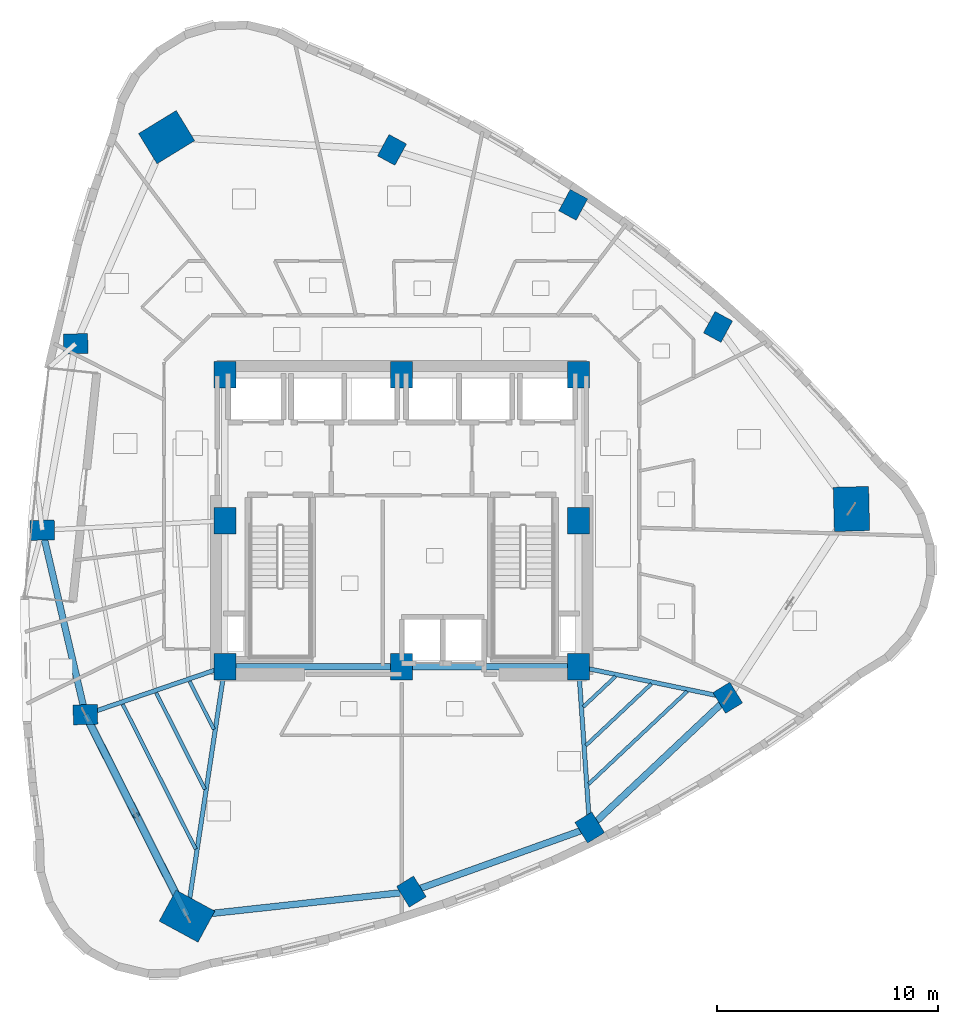
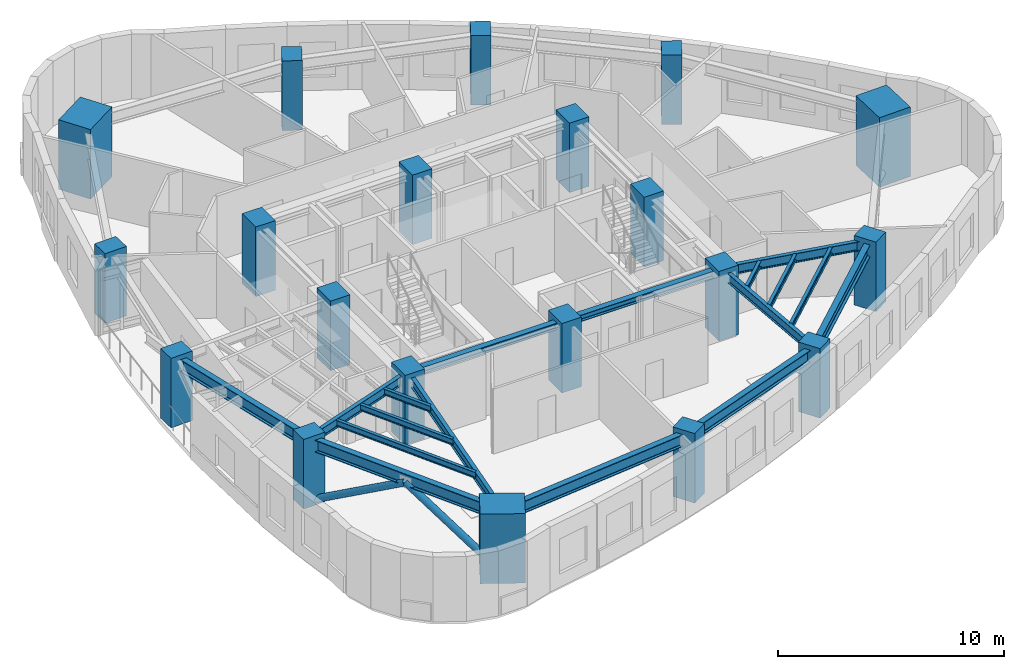
# One storey, part 1 of 12: 20 columns, 17 beams, 2 members.
"""IFC4 building model written with IfcOpenShell, lengths in metres."""

from ifc_helpers import new_model, si_unit, direction, frame, origin, origin_2d, place, context, subcontext, project, spatial, rectangle, hollow_circle, i_section, extrude, material, material_profile, profile_set, type_object, element, save


model = new_model("IFC4")

# Units and contexts
model_context = context("Model", 3, precision=1e-05, world=origin(), true_north=direction((0.0, 1.0)))
body_context = subcontext(model_context, "Body", "Model", "MODEL_VIEW")
ifc_project = project(units=[si_unit("LENGTHUNIT", "METRE"), si_unit("AREAUNIT", "SQUARE_METRE"), si_unit("VOLUMEUNIT", "CUBIC_METRE"), si_unit("PLANEANGLEUNIT", "RADIAN"), si_unit("MASSUNIT", "GRAM", prefix="KILO")], contexts=[model_context])

# Site, building, storey
site_placement = place(None, origin())
site = spatial("IfcSite", under=ifc_project, at=site_placement, CompositionType="ELEMENT")
building_placement = place(site_placement, origin())
building = spatial("IfcBuilding", under=site, at=building_placement, Name="Ndelora Gate Hotel", CompositionType="ELEMENT")
storey_placement = place(building_placement, frame((0.0, 0.0, 104.75)))
storey = spatial("IfcBuildingStorey", under=building, at=storey_placement, Name="L25", CompositionType="ELEMENT", Elevation=104.75)

# Columns
ifc_material_1 = material(Name="Concrete C60/75", Category="concrete")
ifc_material_profile_1 = material_profile(ifc_material_1, rectangle(XDim=1.0, YDim=1.199951171875, at=origin_2d()), Name="RC 1200x1000")
ifc_profile_set_1 = profile_set([ifc_material_profile_1], Name="Concrete C60/75")
column_type_1 = type_object("IfcColumnType", Name="COL-CC-MID", PredefinedType="COLUMN", material=ifc_profile_set_1)
for number, where, z_axis, x_axis, name in (
    (1, (-8.0, -6.60009765625, 0.0), (0.0, 0.0, 1.0), (1.0, 0.0, 0.0), "L25 Core Column CC1"),
    (2, (0.0, -6.60009765625, 0.0), (0.0, 0.0, 1.0), (1.0, 0.0, 0.0), "L25 Core Column CC2"),
    (3, (8.0, -6.60009765625, 0.0), (0.0, 0.0, 1.0), (1.0, 0.0, 0.0), "L25 Core Column CC3"),
    (4, (8.0, 0.0, 0.0), (0.0, 0.0, 1.0), (1.0, 0.0, 0.0), "L25 Core Column CC4"),
    (5, (8.0, 6.60009765625, 0.0), (0.0, 0.0, 1.0), (1.0, 0.0, 0.0), "L25 Core Column CC5"),
    (6, (0.0, 6.60009765625, 0.0), (0.0, 0.0, 1.0), (1.0, 0.0, 0.0), "L25 Core Column CC6"),
    (7, (-8.0, 6.60009765625, 0.0), (0.0, 0.0, 1.0), (1.0, 0.0, 0.0), "L25 Core Column CC7"),
    (8, (-8.0, 0.0, 0.0), (0.0, 0.0, 1.0), (1.0, 0.0, 0.0), "L25 Core Column CC8"),
):
    element("IfcColumn", number, at=place(storey_placement, frame(where, z_axis=z_axis, x_axis=x_axis)), inside=storey, type_object=column_type_1, Name=name, PredefinedType="COLUMN", context=body_context, shape_type="SweptSolid", body=[
        extrude(rectangle(XDim=1.0, YDim=1.199951171875, at=origin_2d()), origin(), (0.0, 0.0, 1.0), 3.75),
    ])
ifc_material_profile_2 = material_profile(ifc_material_1, rectangle(XDim=1.60009765625, YDim=2.0, at=origin_2d()), Name="RC 2000x1600")
ifc_profile_set_2 = profile_set([ifc_material_profile_2], Name="Concrete C60/75")
column_type_2 = type_object("IfcColumnType", Name="COL-MC-Z2", PredefinedType="COLUMN", material=ifc_profile_set_2)
for number, where, z_axis, x_axis, name in (
    (9, (-10.63330078125, 17.351806640625, 0.0), (0.0, 0.0, 1.0), (-0.522498564716, 0.852640164354, 0.0), "L25 Corner Mega-Column R1"),
    (10, (-9.71044921875, -17.884521484375, 0.0), (0.0, 0.0, 1.0), (0.47715876026, 0.878817112662, 0.0), "L25 Corner Mega-Column R5"),
    (11, (20.34375, 0.53271484375, 0.0), (0.0, 0.0, 1.0), (0.999657324976, 0.026176948308, 0.0), "L25 Corner Mega-Column R9"),
):
    element("IfcColumn", number, at=place(storey_placement, frame(where, z_axis=z_axis, x_axis=x_axis)), inside=storey, type_object=column_type_2, Name=name, PredefinedType="COLUMN", context=body_context, shape_type="SweptSolid", body=[
        extrude(rectangle(XDim=1.60009765625, YDim=2.0, at=origin_2d()), origin(), (0.0, 0.0, 1.0), 3.75),
    ])
ifc_material_profile_3 = material_profile(ifc_material_1, rectangle(XDim=0.89990234375, YDim=1.10009765625, at=origin_2d()), Name="RC 1100x900")
ifc_profile_set_3 = profile_set([ifc_material_profile_3], Name="Concrete C60/75")
column_type_3 = type_object("IfcColumnType", Name="COL-PT-Z2", PredefinedType="COLUMN", material=ifc_profile_set_3)
for number, where, z_axis, x_axis, name in (
    (12, (-14.74658203125, 8.006591796875, 0.0), (0.0, 0.0, 1.0), (-0.026176948308, 0.999657324976, 0.0), "L25 Perimeter Tube Column R2"),
    (13, (-16.25537109375, -0.42578125, 0.0), (0.0, 0.0, 1.0), (-0.026176948308, 0.999657324976, 0.0), "L25 Perimeter Tube Column R3"),
    (14, (-14.307373046875, -8.767578125, 0.0), (0.0, 0.0, 1.0), (-0.026176948308, 0.999657324976, 0.0), "L25 Perimeter Tube Column R4"),
    (15, (0.439208984375, -16.7744140625, 0.0), (0.0, 0.0, 1.0), (0.852640164354, 0.522498564716, 0.0), "L25 Perimeter Tube Column R6"),
    (16, (8.50439453125, -13.878173828125, 0.0), (0.0, 0.0, 1.0), (0.852640164354, 0.522498564716, 0.0), "L25 Perimeter Tube Column R7"),
    (17, (14.74658203125, -8.006591796875, 0.0), (0.0, 0.0, 1.0), (0.852640164354, 0.522498564716, 0.0), "L25 Perimeter Tube Column R8"),
    (18, (14.30712890625, 8.767333984375, 0.0), (0.0, 0.0, 1.0), (-0.878817112662, 0.47715876026, 0.0), "L25 Perimeter Tube Column R10"),
    (19, (7.759033203125, 14.290283203125, 0.0), (0.0, 0.0, 1.0), (-0.878817112662, 0.47715876026, 0.0), "L25 Perimeter Tube Column R11"),
    (20, (-0.439208984375, 16.7744140625, 0.0), (0.0, 0.0, 1.0), (-0.878817112662, 0.47715876026, 0.0), "L25 Perimeter Tube Column R12"),
):
    element("IfcColumn", number, at=place(storey_placement, frame(where, z_axis=z_axis, x_axis=x_axis)), inside=storey, type_object=column_type_3, Name=name, PredefinedType="COLUMN", context=body_context, shape_type="SweptSolid", body=[
        extrude(rectangle(XDim=0.89990234375, YDim=1.10009765625, at=origin_2d()), origin(), (0.0, 0.0, 1.0), 3.75),
    ])

# Beams
ifc_material_2 = material(Name="Steel S355", Category="steel")
ifc_material_profile_4 = material_profile(ifc_material_2, i_section(OverallWidth=0.300048828125, OverallDepth=0.360107421875, WebThickness=0.012451171875, FlangeThickness=0.0224609375, FilletRadius=0.027099609375, at=origin_2d()), Name="HEB 360")
ifc_profile_set_4 = profile_set([ifc_material_profile_4], Name="Steel S355")
beam_type_1 = type_object("IfcBeamType", Name="BM-CORE-360", PredefinedType="BEAM", material=ifc_profile_set_4)
for number, where, z_axis, x_axis, name in (
    (21, (-8.0, -6.60009765625, 3.320068359375), (1.0, 0.0, 0.0), (0.0, 1.0, 0.0), "L25 Core Tie Girder CC1-CC2"),
    (22, (0.0, -6.60009765625, 3.320068359375), (1.0, 0.0, 0.0), (0.0, 1.0, 0.0), "L25 Core Tie Girder CC2-CC3"),
):
    element("IfcBeam", number, at=place(storey_placement, frame(where, z_axis=z_axis, x_axis=x_axis)), inside=storey, type_object=beam_type_1, Name=name, PredefinedType="BEAM", context=body_context, shape_type="SweptSolid", body=[
        extrude(i_section(OverallWidth=0.300048828125, OverallDepth=0.360107421875, WebThickness=0.012451171875, FlangeThickness=0.0224609375, FilletRadius=0.027099609375, at=origin_2d()), origin(), (0.0, 0.0, 1.0), 8.0),
    ])
ifc_material_profile_5 = material_profile(ifc_material_2, i_section(OverallWidth=0.159912109375, OverallDepth=0.330078125, WebThickness=0.007568359375, FlangeThickness=0.011474609375, FilletRadius=0.01806640625, at=origin_2d()), Name="IPE 330")
ifc_profile_set_5 = profile_set([ifc_material_profile_5], Name="Steel S355")
beam_type_2 = type_object("IfcBeamType", Name="BM-JST-330", PredefinedType="JOIST", material=ifc_profile_set_5)
beam_1_placement = place(storey_placement, frame((-9.59033203125, -7.26171875, 3.3349609375), z_axis=(0.450139260243, -0.892958367668, 0.0), x_axis=(0.892958367668, 0.450139260243, 0.0)))
element("IfcBeam", 23, at=beam_1_placement, inside=storey, type_object=beam_type_2, Name="L25 Secondary Composite Floor Joist IN-4", PredefinedType="JOIST", context=body_context, shape_type="SweptSolid", body=[
    extrude(i_section(OverallWidth=0.159912109375, OverallDepth=0.330078125, WebThickness=0.007568359375, FlangeThickness=0.011474609375, FilletRadius=0.01806640625, at=origin_2d()), origin(), (0.0, 0.0, 1.0), 2.4345703125),
])
beam_2_placement = place(storey_placement, frame((-11.10400390625, -7.781982421875, 3.3349609375), z_axis=(0.450189724408, -0.892932926953, 0.0), x_axis=(0.892932926953, 0.450189724408, 0.0)))
element("IfcBeam", 24, at=beam_2_placement, inside=storey, type_object=beam_type_2, Name="L25 Secondary Composite Floor Joist MID-4", PredefinedType="JOIST", context=body_context, shape_type="SweptSolid", body=[
    extrude(i_section(OverallWidth=0.159912109375, OverallDepth=0.330078125, WebThickness=0.007568359375, FlangeThickness=0.011474609375, FilletRadius=0.01806640625, at=origin_2d()), origin(), (0.0, 0.0, 1.0), 4.885009765625),
])
beam_3_placement = place(storey_placement, frame((-12.617919921875, -8.30224609375, 3.3349609375), z_axis=(0.45023300903, -0.892911102843, 0.0), x_axis=(0.892911102843, 0.45023300903, 0.0)))
element("IfcBeam", 25, at=beam_3_placement, inside=storey, type_object=beam_type_2, Name="L25 Secondary Composite Floor Joist OUT-4", PredefinedType="JOIST", context=body_context, shape_type="SweptSolid", body=[
    extrude(i_section(OverallWidth=0.159912109375, OverallDepth=0.330078125, WebThickness=0.007568359375, FlangeThickness=0.011474609375, FilletRadius=0.01806640625, at=origin_2d()), origin(), (0.0, 0.0, 1.0), 7.335693359375),
])
beam_4_placement = place(storey_placement, frame((8.211181640625, -8.4169921875, 3.3349609375), z_axis=(0.728414088998, 0.685137150466, 0.0), x_axis=(-0.685137150466, 0.728414088998, 0.0)))
element("IfcBeam", 26, at=beam_4_placement, inside=storey, type_object=beam_type_2, Name="L25 Secondary Composite Floor Joist IN-7", PredefinedType="JOIST", context=body_context, shape_type="SweptSolid", body=[
    extrude(i_section(OverallWidth=0.159912109375, OverallDepth=0.330078125, WebThickness=0.007568359375, FlangeThickness=0.011474609375, FilletRadius=0.01806640625, at=origin_2d()), origin(), (0.0, 0.0, 1.0), 2.00830078125),
])
beam_5_placement = place(storey_placement, frame((8.33251953125, -10.163818359375, 3.3349609375), z_axis=(0.728369245526, 0.685184823366, 0.0), x_axis=(-0.685184823366, 0.728369245526, 0.0)))
element("IfcBeam", 27, at=beam_5_placement, inside=storey, type_object=beam_type_2, Name="L25 Secondary Composite Floor Joist MID-7", PredefinedType="JOIST", context=body_context, shape_type="SweptSolid", body=[
    extrude(i_section(OverallWidth=0.159912109375, OverallDepth=0.330078125, WebThickness=0.007568359375, FlangeThickness=0.011474609375, FilletRadius=0.01806640625, at=origin_2d()), origin(), (0.0, 0.0, 1.0), 4.06494140625),
])
beam_6_placement = place(storey_placement, frame((8.45361328125, -11.910400390625, 3.3349609375), z_axis=(0.728393161111, 0.68515939959, 0.0), x_axis=(-0.68515939959, 0.728393161111, 0.0)))
element("IfcBeam", 28, at=beam_6_placement, inside=storey, type_object=beam_type_2, Name="L25 Secondary Composite Floor Joist OUT-7", PredefinedType="JOIST", context=body_context, shape_type="SweptSolid", body=[
    extrude(i_section(OverallWidth=0.159912109375, OverallDepth=0.330078125, WebThickness=0.007568359375, FlangeThickness=0.011474609375, FilletRadius=0.01806640625, at=origin_2d()), origin(), (0.0, 0.0, 1.0), 6.121337890625),
])
ifc_material_profile_6 = material_profile(ifc_material_2, i_section(OverallWidth=0.199951171875, OverallDepth=0.5, WebThickness=0.01025390625, FlangeThickness=0.01611328125, FilletRadius=0.02099609375, at=origin_2d()), Name="IPE 500")
ifc_profile_set_6 = profile_set([ifc_material_profile_6], Name="Steel S355")
beam_type_3 = type_object("IfcBeamType", Name="BM-RAD-500", PredefinedType="BEAM", material=ifc_profile_set_6)
beam_7_placement = place(storey_placement, frame((-8.0, -6.60009765625, 3.25), z_axis=(-0.945717893913, -0.324988715392, 0.0), x_axis=(0.324988715392, -0.945717893913, 0.0)))
element("IfcBeam", 29, at=beam_7_placement, inside=storey, type_object=beam_type_3, Name="L25 Radial Floor Girder 4", PredefinedType="BEAM", context=body_context, shape_type="SweptSolid", body=[
    extrude(i_section(OverallWidth=0.199951171875, OverallDepth=0.5, WebThickness=0.01025390625, FlangeThickness=0.01611328125, FilletRadius=0.02099609375, at=origin_2d()), origin(), (0.0, 0.0, 1.0), 6.66943359375),
])
beam_8_placement = place(storey_placement, frame((-8.0, -6.60009765625, 3.25), z_axis=(-0.149864309615, -0.988706573612, 0.0), x_axis=(0.988706573612, -0.149864309615, 0.0)))
element("IfcBeam", 30, at=beam_8_placement, inside=storey, type_object=beam_type_3, Name="L25 Radial Floor Girder 5", PredefinedType="BEAM", context=body_context, shape_type="SweptSolid", body=[
    extrude(i_section(OverallWidth=0.199951171875, OverallDepth=0.5, WebThickness=0.01025390625, FlangeThickness=0.01611328125, FilletRadius=0.02099609375, at=origin_2d()), origin(), (0.0, 0.0, 1.0), 11.413330078125),
])
beam_9_placement = place(storey_placement, frame((8.0, -6.60009765625, 3.25), z_axis=(0.069137444551, -0.997607144001, 0.0), x_axis=(0.997607144001, 0.069137444551, 0.0)))
element("IfcBeam", 31, at=beam_9_placement, inside=storey, type_object=beam_type_3, Name="L25 Radial Floor Girder 7", PredefinedType="BEAM", context=body_context, shape_type="SweptSolid", body=[
    extrude(i_section(OverallWidth=0.199951171875, OverallDepth=0.5, WebThickness=0.01025390625, FlangeThickness=0.01611328125, FilletRadius=0.02099609375, at=origin_2d()), origin(), (0.0, 0.0, 1.0), 7.295654296875),
])
beam_10_placement = place(storey_placement, frame((8.0, -6.60009765625, 3.25), z_axis=(0.978952706778, -0.204087231083, 0.0), x_axis=(0.204087231083, 0.978952706778, 0.0)))
element("IfcBeam", 32, at=beam_10_placement, inside=storey, type_object=beam_type_3, Name="L25 Radial Floor Girder 8", PredefinedType="BEAM", context=body_context, shape_type="SweptSolid", body=[
    extrude(i_section(OverallWidth=0.199951171875, OverallDepth=0.5, WebThickness=0.01025390625, FlangeThickness=0.01611328125, FilletRadius=0.02099609375, at=origin_2d()), origin(), (0.0, 0.0, 1.0), 6.8916015625),
])
ifc_material_profile_7 = material_profile(ifc_material_2, i_section(OverallWidth=0.300048828125, OverallDepth=0.64990234375, WebThickness=0.01611328125, FlangeThickness=0.031005859375, FilletRadius=0.027099609375, at=origin_2d()), Name="HEB 650")
ifc_profile_set_7 = profile_set([ifc_material_profile_7], Name="Steel S355")
beam_type_4 = type_object("IfcBeamType", Name="BM-RING-650", PredefinedType="SPANDREL", material=ifc_profile_set_7)
beam_11_placement = place(storey_placement, frame((-16.25537109375, -0.42578125, 3.175048828125), z_axis=(0.227404398157, -0.973800410607, 0.0), x_axis=(0.973800410607, 0.227404398157, 0.0)))
element("IfcBeam", 33, at=beam_11_placement, inside=storey, type_object=beam_type_4, Name="L25 Perimeter Spandrel Girder 3", PredefinedType="SPANDREL", context=body_context, shape_type="SweptSolid", body=[
    extrude(i_section(OverallWidth=0.300048828125, OverallDepth=0.64990234375, WebThickness=0.01611328125, FlangeThickness=0.031005859375, FilletRadius=0.027099609375, at=origin_2d()), origin(), (0.0, 0.0, 1.0), 8.566162109375),
])
for number, where, z_axis, x_axis, name in (
    (34, (-14.307373046875, -8.767578125, 3.175048828125), (0.450223868811, -0.892915711561, 0.0), (0.892915711561, 0.450223868811, 0.0), "L25 Perimeter Spandrel Girder 4"),
    (35, (-9.71044921875, -17.884521484375, 3.175048828125), (0.994071812898, 0.108725483685, 0.0), (-0.108725483685, 0.994071812898, 0.0), "L25 Perimeter Spandrel Girder 5"),
):
    element("IfcBeam", number, at=place(storey_placement, frame(where, z_axis=z_axis, x_axis=x_axis)), inside=storey, type_object=beam_type_4, Name=name, PredefinedType="SPANDREL", context=body_context, shape_type="SweptSolid", body=[
        extrude(i_section(OverallWidth=0.300048828125, OverallDepth=0.64990234375, WebThickness=0.01611328125, FlangeThickness=0.031005859375, FilletRadius=0.027099609375, at=origin_2d()), origin(), (0.0, 0.0, 1.0), 10.210205078125),
    ])
beam_12_placement = place(storey_placement, frame((0.439208984375, -16.7744140625, 3.175048828125), z_axis=(0.941155870835, 0.337972819607, 0.0), x_axis=(-0.337972819607, 0.941155870835, 0.0)))
element("IfcBeam", 36, at=beam_12_placement, inside=storey, type_object=beam_type_4, Name="L25 Perimeter Spandrel Girder 6", PredefinedType="SPANDREL", context=body_context, shape_type="SweptSolid", body=[
    extrude(i_section(OverallWidth=0.300048828125, OverallDepth=0.64990234375, WebThickness=0.01611328125, FlangeThickness=0.031005859375, FilletRadius=0.027099609375, at=origin_2d()), origin(), (0.0, 0.0, 1.0), 8.5693359375),
])
beam_13_placement = place(storey_placement, frame((8.50439453125, -13.878173828125, 3.175048828125), z_axis=(0.728399016952, 0.68515317419, 0.0), x_axis=(-0.68515317419, 0.728399016952, 0.0)))
element("IfcBeam", 37, at=beam_13_placement, inside=storey, type_object=beam_type_4, Name="L25 Perimeter Spandrel Girder 7", PredefinedType="SPANDREL", context=body_context, shape_type="SweptSolid", body=[
    extrude(i_section(OverallWidth=0.300048828125, OverallDepth=0.64990234375, WebThickness=0.01611328125, FlangeThickness=0.031005859375, FilletRadius=0.027099609375, at=origin_2d()), origin(), (0.0, 0.0, 1.0), 8.56982421875),
])

# Members
ifc_material_profile_8 = material_profile(ifc_material_2, hollow_circle(Radius=0.177978515625, WallThickness=0.01611328125, at=origin_2d()), Name="CHS 356x16")
ifc_profile_set_8 = profile_set([ifc_material_profile_8], Name="Steel S355")
member_type = type_object("IfcMemberType", Name="MB-TUBE-356", PredefinedType="BRACE", material=ifc_profile_set_8)
for number, where, z_axis, x_axis, name in (
    (38, (-14.307373046875, -8.767578125, 0.02001953125), (0.390508461166, -0.774422037007, 0.497768671529), (0.892901251526, 0.450252545826, 0.0), "L25 Perimeter Braced-Tube Diagonal 4A"),
    (39, (-9.71044921875, -17.884521484375, 0.02001953125), (-0.390460765703, 0.774451180922, 0.49776074455), (-0.89293017037, -0.450195191938, 0.0), "L25 Perimeter Braced-Tube Diagonal 4B"),
):
    element("IfcMember", number, at=place(storey_placement, frame(where, z_axis=z_axis, x_axis=x_axis)), inside=storey, type_object=member_type, Name=name, PredefinedType="BRACE", context=body_context, shape_type="SweptSolid", body=[
        extrude(hollow_circle(Radius=0.177978515625, WallThickness=0.01611328125, at=origin_2d()), origin(), (0.0, 0.0, 1.0), 5.88623046875),
    ])

save(model, "model.ifc")
